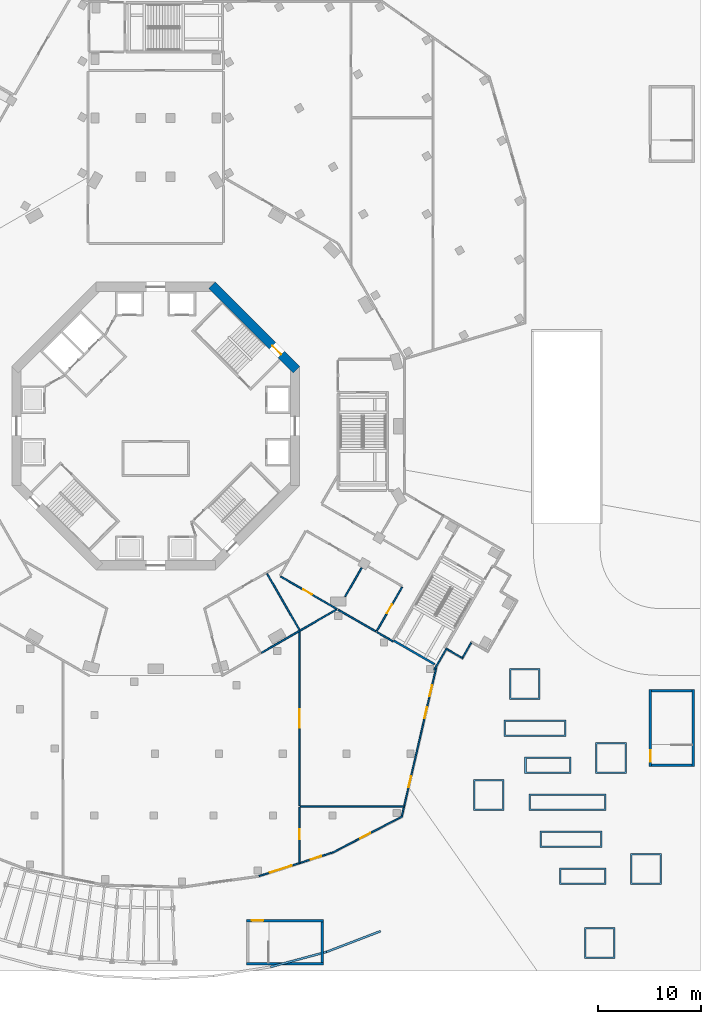
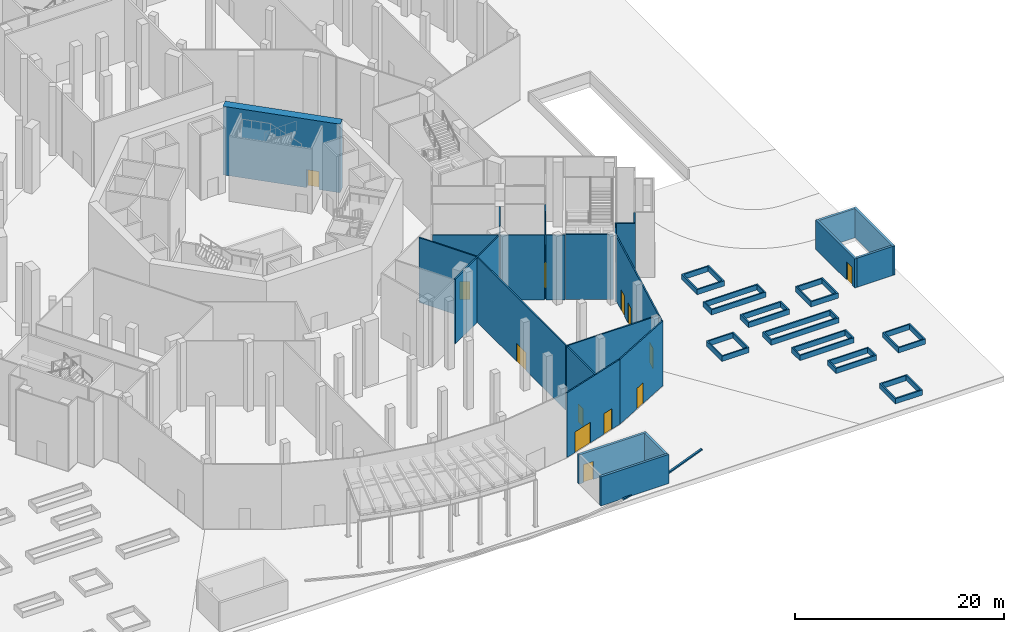
# One storey, part 8 of 30: 37 walls, 13 doors, 13 openings.
"""IFC4 building model written with IfcOpenShell, lengths in metres."""

from ifc_helpers import new_model, si_unit, direction, frame, frame_2d, origin, place, context, subcontext, project, spatial, polyline, rectangle, outline, extrude, material, layer, layer_set, type_object, element, fill, save


model = new_model("IFC4")

# Units and contexts
model_context = context("Model", 3, precision=1e-05, world=origin(), true_north=direction((0.0, 1.0)))
body_context = subcontext(model_context, "Body", "Model", "MODEL_VIEW")
ifc_project = project(units=[si_unit("LENGTHUNIT", "METRE"), si_unit("AREAUNIT", "SQUARE_METRE"), si_unit("VOLUMEUNIT", "CUBIC_METRE"), si_unit("PLANEANGLEUNIT", "RADIAN"), si_unit("MASSUNIT", "GRAM", prefix="KILO")], contexts=[model_context])

# Site, building, storey
site_placement = place(None, origin())
site = spatial("IfcSite", under=ifc_project, at=site_placement, CompositionType="ELEMENT")
building_placement = place(site_placement, origin())
building = spatial("IfcBuilding", under=site, at=building_placement, Name="Verdalira Terraces Hotel", CompositionType="ELEMENT")
storey_placement = place(building_placement, origin())
storey = spatial("IfcBuildingStorey", under=building, at=storey_placement, Name="L00", CompositionType="ELEMENT", Elevation=0.0)

# Wall, opening, door
ifc_material_1 = material(Name="Concrete C70", Category="concrete")
ifc_layer_1 = layer(ifc_material_1, 0.89990234375)
ifc_layer_set_1 = layer_set([ifc_layer_1], Name="Core wall 900 C70")
wall_type_1 = type_object("IfcWallType", Name="Core wall 900 C70", PredefinedType="SHEAR", material=ifc_layer_set_1)
wall_1_placement = place(storey_placement, frame((13.681885, 5.480713, 0.0), z_axis=(0.0, 0.0, 1.0), x_axis=(-0.707106781, 0.707106781, 0.0)))
wall_1 = element("IfcWall", 1, at=wall_1_placement, inside=storey, type_object=wall_type_1, Name="Core wall CW-L00-2", PredefinedType="SHEAR", context=body_context, shape_type="SweptSolid", body=[
    extrude(rectangle(XDim=11.598145, YDim=0.899902, at=frame_2d((5.799072, 0.0))), origin(), (0.0, 0.0, 1.0), 8.0),
])
opening_1_placement = place(wall_1_placement, frame((2.099121, 0.0, 0.0)))
opening_1 = element("IfcOpeningElement", 2, at=opening_1_placement, cuts=wall_1, Name="Opening L00-818", PredefinedType="OPENING", context=body_context, shape_type="SweptSolid", body=[
    extrude(rectangle(XDim=1.199951, YDim=2.100098, at=frame_2d((0.600098, 1.050049))), frame((0.0, 0.459961, 0.0), z_axis=(0.0, -1.0, 0.0), x_axis=(1.0, 0.0, 0.0)), (0.0, 0.0, 1.0), 0.919922),
])
ifc_material_2 = material(Name="Steel fire door", Category="steel")
door_type_1 = type_object("IfcDoorType", Name="Stair door 1200 x 2100", OperationType="NOTDEFINED", PredefinedType="DOOR", material=ifc_material_2)
door_1_placement = place(opening_1_placement, origin())
door_1 = element("IfcDoor", 3, at=door_1_placement, inside=storey, type_object=door_type_1, Name="Stair exit door ST1 L00", OperationType="SINGLE_SWING_LEFT", OverallHeight=2.10009765625, OverallWidth=1.199951171875, PredefinedType="DOOR", context=body_context, shape_type="SweptSolid", body=[
    extrude(rectangle(XDim=1.199951, YDim=2.100098, at=frame_2d((0.600098, 1.050049))), frame((0.0, 0.024902, 0.0), z_axis=(0.0, -1.0, 0.0), x_axis=(1.0, 0.0, 0.0)), (0.0, 0.0, 1.0), 0.050049),
])
fill(opening_1, door_1)

ifc_material_3 = material(Name="Gypsum board partition on steel stud", Category="steel")
ifc_layer_2 = layer(ifc_material_3, 0.14990234375)
ifc_layer_set_2 = layer_set([ifc_layer_2], Name="Fire-rated partition 150 mm")
wall_type_2 = type_object("IfcWallType", Name="Fire-rated partition 150 mm", PredefinedType="PARTITIONING", material=ifc_layer_set_2)
wall_2_placement = place(storey_placement, frame((17.643311, -17.807373, 0.0), z_axis=(0.0, 0.0, 1.0), x_axis=(-0.866029357, 0.499993152, 0.0)))
wall_2 = element("IfcWall", 4, at=wall_2_placement, inside=storey, type_object=wall_type_2, Name="Partition", PredefinedType="PARTITIONING", context=body_context, shape_type="SweptSolid", body=[
    extrude(rectangle(XDim=6.349609, YDim=0.149902, at=frame_2d((3.174805, 0.0))), origin(), (0.0, 0.0, 1.0), 7.550049),
])
opening_2_placement = place(wall_2_placement, frame((2.799805, 0.0, 0.0)))
opening_2 = element("IfcOpeningElement", 5, at=opening_2_placement, cuts=wall_2, Name="Opening L00-D22", PredefinedType="OPENING", context=body_context, shape_type="SweptSolid", body=[
    extrude(rectangle(XDim=1.0, YDim=2.100098, at=frame_2d((0.5, 1.050049))), frame((0.0, 0.084961, 0.0), z_axis=(0.0, -1.0, 0.0), x_axis=(1.0, 0.0, 0.0)), (0.0, 0.0, 1.0), 0.169922),
])
ifc_material_4 = material(Name="Steel fire door", Category="steel")
door_type_2 = type_object("IfcDoorType", Name="Fire door 1000 x 2100", OperationType="SINGLE_SWING_LEFT", PredefinedType="DOOR", material=ifc_material_4)
door_2_placement = place(opening_2_placement, origin())
door_2 = element("IfcDoor", 6, at=door_2_placement, inside=storey, type_object=door_type_2, Name="Accessible WC door", OperationType="SINGLE_SWING_RIGHT", OverallHeight=2.10009765625, OverallWidth=1.0, PredefinedType="DOOR", context=body_context, shape_type="SweptSolid", body=[
    extrude(rectangle(XDim=1.0, YDim=2.100098, at=frame_2d((0.5, 1.050049))), frame((0.0, 0.024902, 0.0), z_axis=(0.0, -1.0, 0.0), x_axis=(1.0, 0.0, 0.0)), (0.0, 0.0, 1.0), 0.050049),
])
fill(opening_2, door_2)

wall_3_placement = place(storey_placement, frame((14.0, -37.074707, 0.0), z_axis=(0.0, 0.0, 1.0), x_axis=(0.0, -1.0, 0.0)))
wall_3 = element("IfcWall", 7, at=wall_3_placement, inside=storey, type_object=wall_type_2, Name="Partition", PredefinedType="PARTITIONING", context=body_context, shape_type="SweptSolid", body=[
    extrude(rectangle(XDim=5.439941, YDim=0.149902, at=frame_2d((2.719971, 0.0))), origin(), (0.0, 0.0, 1.0), 7.550049),
])
opening_3_placement = place(wall_3_placement, frame((2.149902, 0.0, 0.0)))
opening_3 = element("IfcOpeningElement", 8, at=opening_3_placement, cuts=wall_3, Name="Opening L00-D23", PredefinedType="OPENING", context=body_context, shape_type="SweptSolid", body=[
    extrude(rectangle(XDim=1.0, YDim=2.100098, at=frame_2d((0.5, 1.050049))), frame((0.0, 0.084961, 0.0), z_axis=(0.0, -1.0, 0.0), x_axis=(1.0, 0.0, 0.0)), (0.0, 0.0, 1.0), 0.169922),
])
door_3_placement = place(opening_3_placement, origin())
door_3 = element("IfcDoor", 9, at=door_3_placement, inside=storey, type_object=door_type_2, Name="Bell desk and luggage store door", OperationType="SINGLE_SWING_LEFT", OverallHeight=2.10009765625, OverallWidth=1.0, PredefinedType="DOOR", context=body_context, shape_type="SweptSolid", body=[
    extrude(rectangle(XDim=1.0, YDim=2.100098, at=frame_2d((0.5, 1.050049))), frame((0.0, 0.024902, 0.0), z_axis=(0.0, -1.0, 0.0), x_axis=(1.0, 0.0, 0.0)), (0.0, 0.0, 1.0), 0.050049),
])
fill(opening_3, door_3)

wall_4_placement = place(storey_placement, frame((14.0, -36.925293, 0.0), z_axis=(0.0, 0.0, 1.0), x_axis=(0.0, 1.0, 0.0)))
wall_4 = element("IfcWall", 10, at=wall_4_placement, inside=storey, type_object=wall_type_2, Name="Partition", PredefinedType="PARTITIONING", context=body_context, shape_type="SweptSolid", body=[
    extrude(rectangle(XDim=16.922119, YDim=0.149902, at=frame_2d((8.460938, 0.0))), origin(), (0.0, 0.0, 1.0), 7.550049),
])
opening_4_placement = place(wall_4_placement, frame((7.572021, 0.0, 0.0)))
opening_4 = element("IfcOpeningElement", 11, at=opening_4_placement, cuts=wall_4, Name="Opening L00-D24", PredefinedType="OPENING", context=body_context, shape_type="SweptSolid", body=[
    extrude(rectangle(XDim=1.800049, YDim=2.100098, at=frame_2d((0.899902, 1.050049))), frame((0.0, 0.084961, 0.0), z_axis=(0.0, -1.0, 0.0), x_axis=(1.0, 0.0, 0.0)), (0.0, 0.0, 1.0), 0.169922),
])
ifc_material_5 = material(Name="Steel fire door", Category="steel")
door_type_3 = type_object("IfcDoorType", Name="Fire door pair 1800 x 2100", OperationType="DOUBLE_DOOR_SINGLE_SWING", PredefinedType="DOOR", material=ifc_material_5)
door_4_placement = place(opening_4_placement, origin())
door_4 = element("IfcDoor", 12, at=door_4_placement, inside=storey, type_object=door_type_3, Name="Grand lobby door", OperationType="DOUBLE_DOOR_SINGLE_SWING", OverallHeight=2.10009765625, OverallWidth=1.800048828125, PredefinedType="DOOR", context=body_context, shape_type="SweptSolid", body=[
    extrude(rectangle(XDim=1.800049, YDim=2.100098, at=frame_2d((0.899902, 1.050049))), frame((0.0, 0.024902, 0.0), z_axis=(0.0, -1.0, 0.0), x_axis=(1.0, 0.0, 0.0)), (0.0, 0.0, 1.0), 0.050049),
])
fill(opening_4, door_4)

# Walls
wall_5_placement = place(storey_placement, frame((13.996826, -19.843262, 0.0), z_axis=(0.0, 0.0, 1.0), x_axis=(-0.499976504, 0.866038969, 0.0)))
element("IfcWall", 13, at=wall_5_placement, inside=storey, type_object=wall_type_2, Name="Partition", PredefinedType="PARTITIONING", context=body_context, shape_type="SweptSolid", body=[
    extrude(rectangle(XDim=6.349854, YDim=0.149902, at=frame_2d((3.174805, 0.0))), origin(), (0.0, 0.0, 1.0), 7.550049),
])
wall_6_placement = place(storey_placement, frame((17.593262, -17.853516, 0.0), z_axis=(0.0, 0.0, 1.0), x_axis=(-0.866022179, -0.500005586, 0.0)))
element("IfcWall", 14, at=wall_6_placement, inside=storey, type_object=wall_type_2, Name="Partition", PredefinedType="PARTITIONING", context=body_context, shape_type="SweptSolid", body=[
    extrude(rectangle(XDim=8.43457, YDim=0.149902, at=frame_2d((4.217285, 0.0))), origin(), (0.0, 0.0, 1.0), 7.550049),
])
wall_7_placement = place(storey_placement, frame((18.435547, -16.585449, 0.0), z_axis=(0.0, 0.0, 1.0), x_axis=(0.49995248, 0.866052838, 0.0)))
element("IfcWall", 15, at=wall_7_placement, inside=storey, type_object=wall_type_2, Name="Partition", PredefinedType="PARTITIONING", context=body_context, shape_type="SweptSolid", body=[
    extrude(rectangle(XDim=3.215576, YDim=0.149902, at=frame_2d((1.60791, 0.0))), origin(), (0.0, 0.0, 1.0), 7.550049),
])
wall_8_placement = place(storey_placement, frame((17.773193, -17.882324, 0.0), z_axis=(0.0, 0.0, 1.0), x_axis=(0.866005191, -0.500035008, 0.0)))
element("IfcWall", 16, at=wall_8_placement, inside=storey, type_object=wall_type_2, Name="Partition", PredefinedType="PARTITIONING", context=body_context, shape_type="SweptSolid", body=[
    extrude(rectangle(XDim=4.192139, YDim=0.149902, at=frame_2d((2.096191, 0.0))), origin(), (0.0, 0.0, 1.0), 7.550049),
])
wall_9_placement = place(storey_placement, frame((21.533203, -20.053223, 0.0), z_axis=(0.0, 0.0, 1.0), x_axis=(0.865989076, -0.500062917, 0.0)))
element("IfcWall", 17, at=wall_9_placement, inside=storey, type_object=wall_type_2, Name="Partition", PredefinedType="PARTITIONING", context=body_context, shape_type="SweptSolid", body=[
    extrude(rectangle(XDim=1.800049, YDim=0.149902, at=frame_2d((0.899902, 0.0))), origin(), (0.0, 0.0, 1.0), 7.550049),
])

# Wall, opening, door
wall_10_placement = place(storey_placement, frame((21.505859, -19.950684, 0.0), z_axis=(0.0, 0.0, 1.0), x_axis=(0.499995708, 0.866027882, 0.0)))
wall_10 = element("IfcWall", 18, at=wall_10_placement, inside=storey, type_object=wall_type_2, Name="Partition", PredefinedType="PARTITIONING", context=body_context, shape_type="SweptSolid", body=[
    extrude(rectangle(XDim=4.949707, YDim=0.149902, at=frame_2d((2.474854, 0.0))), origin(), (0.0, 0.0, 1.0), 7.550049),
])
opening_5_placement = place(wall_10_placement, frame((2.0, 0.0, 0.0)))
opening_5 = element("IfcOpeningElement", 19, at=opening_5_placement, cuts=wall_10, Name="Opening L00-D31", PredefinedType="OPENING", context=body_context, shape_type="SweptSolid", body=[
    extrude(rectangle(XDim=1.0, YDim=2.100098, at=frame_2d((0.5, 1.050049))), frame((0.0, 0.084961, 0.0), z_axis=(0.0, -1.0, 0.0), x_axis=(1.0, 0.0, 0.0)), (0.0, 0.0, 1.0), 0.169922),
])
door_5_placement = place(opening_5_placement, origin())
door_5 = element("IfcDoor", 20, at=door_5_placement, inside=storey, type_object=door_type_2, Name="Retail store 4 door", OperationType="SINGLE_SWING_LEFT", OverallHeight=2.10009765625, OverallWidth=1.0, PredefinedType="DOOR", context=body_context, shape_type="SweptSolid", body=[
    extrude(rectangle(XDim=1.0, YDim=2.100098, at=frame_2d((0.5, 1.050049))), frame((0.0, 0.024902, 0.0), z_axis=(0.0, -1.0, 0.0), x_axis=(1.0, 0.0, 0.0)), (0.0, 0.0, 1.0), 0.050049),
])
fill(opening_5, door_5)

# Walls
wall_11_placement = place(storey_placement, frame((24.170654, -37.0, 0.0), z_axis=(0.0, 0.0, 1.0), x_axis=(-1.0, 0.0, 0.0)))
element("IfcWall", 21, at=wall_11_placement, inside=storey, type_object=wall_type_2, Name="Partition", PredefinedType="PARTITIONING", context=body_context, shape_type="SweptSolid", body=[
    extrude(rectangle(XDim=10.095703, YDim=0.149902, at=frame_2d((5.047852, 0.0))), origin(), (0.0, 0.0, 1.0), 7.550049),
])
ifc_material_6 = material(Name="Concrete C40", Category="concrete")
ifc_layer_3 = layer(ifc_material_6, 0.14990234375)
ifc_layer_set_3 = layer_set([ifc_layer_3], Name="Garden planter trough 600")
wall_type_3 = type_object("IfcWallType", Name="Garden planter trough 600", PredefinedType="SOLIDWALL", material=ifc_layer_set_3)
wall_12_placement = place(storey_placement, origin())
element("IfcWall", 22, at=wall_12_placement, inside=storey, type_object=wall_type_3, Name="Garden planter", PredefinedType="SOLIDWALL", context=body_context, shape_type="SweptSolid", body=[
    extrude(outline(polyline([(41.708252, -51.800049), (44.708252, -51.800049), (44.708252, -48.800049), (41.708252, -48.800049), (41.708252, -51.800049)]), holes=[polyline([(41.858398, -51.649902), (41.858398, -48.949951), (44.55835, -48.949951), (44.55835, -51.649902), (41.858398, -51.649902)])]), origin(), (0.0, 0.0, 1.0), 0.600098),
])
wall_13_placement = place(storey_placement, origin())
element("IfcWall", 23, at=wall_13_placement, inside=storey, type_object=wall_type_3, Name="Garden planter", PredefinedType="SOLIDWALL", context=body_context, shape_type="SweptSolid", body=[
    extrude(outline(polyline([(39.30835, -44.600098), (43.80835, -44.600098), (43.80835, -43.0), (39.30835, -43.0), (39.30835, -44.600098)]), holes=[polyline([(39.458252, -44.449951), (39.458252, -43.149902), (43.658203, -43.149902), (43.658203, -44.449951), (39.458252, -44.449951)])]), origin(), (0.0, 0.0, 1.0), 0.600098),
])
wall_14_placement = place(storey_placement, origin())
element("IfcWall", 24, at=wall_14_placement, inside=storey, type_object=wall_type_3, Name="Garden planter", PredefinedType="SOLIDWALL", context=body_context, shape_type="SweptSolid", body=[
    extrude(outline(polyline([(46.208252, -44.600098), (49.208252, -44.600098), (49.208252, -41.600098), (46.208252, -41.600098), (46.208252, -44.600098)]), holes=[polyline([(46.358398, -44.449951), (46.358398, -41.75), (49.05835, -41.75), (49.05835, -44.449951), (46.358398, -44.449951)])]), origin(), (0.0, 0.0, 1.0), 0.600098),
])
wall_15_placement = place(storey_placement, origin())
element("IfcWall", 25, at=wall_15_placement, inside=storey, type_object=wall_type_3, Name="Garden planter", PredefinedType="SOLIDWALL", context=body_context, shape_type="SweptSolid", body=[
    extrude(outline(polyline([(37.408203, -41.0), (43.408203, -41.0), (43.408203, -39.399902), (37.408203, -39.399902), (37.408203, -41.0)]), holes=[polyline([(37.55835, -40.850098), (37.55835, -39.550049), (43.258301, -39.550049), (43.258301, -40.850098), (37.55835, -40.850098)])]), origin(), (0.0, 0.0, 1.0), 0.600098),
])
wall_16_placement = place(storey_placement, origin())
element("IfcWall", 26, at=wall_16_placement, inside=storey, type_object=wall_type_3, Name="Garden planter", PredefinedType="SOLIDWALL", context=body_context, shape_type="SweptSolid", body=[
    extrude(outline(polyline([(30.908203, -37.399902), (33.908203, -37.399902), (33.908203, -34.399902), (30.908203, -34.399902), (30.908203, -37.399902)]), holes=[polyline([(31.05835, -37.25), (31.05835, -34.550049), (33.758301, -34.550049), (33.758301, -37.25), (31.05835, -37.25)])]), origin(), (0.0, 0.0, 1.0), 0.600098),
])
wall_17_placement = place(storey_placement, origin())
element("IfcWall", 27, at=wall_17_placement, inside=storey, type_object=wall_type_3, Name="Garden planter", PredefinedType="SOLIDWALL", context=body_context, shape_type="SweptSolid", body=[
    extrude(outline(polyline([(36.30835, -37.399902), (43.80835, -37.399902), (43.80835, -35.800049), (36.30835, -35.800049), (36.30835, -37.399902)]), holes=[polyline([(36.458252, -37.25), (36.458252, -35.949951), (43.658203, -35.949951), (43.658203, -37.25), (36.458252, -37.25)])]), origin(), (0.0, 0.0, 1.0), 0.600098),
])
wall_18_placement = place(storey_placement, origin())
element("IfcWall", 28, at=wall_18_placement, inside=storey, type_object=wall_type_3, Name="Garden planter", PredefinedType="SOLIDWALL", context=body_context, shape_type="SweptSolid", body=[
    extrude(outline(polyline([(35.908203, -33.800049), (40.408203, -33.800049), (40.408203, -32.199951), (35.908203, -32.199951), (35.908203, -33.800049)]), holes=[polyline([(36.05835, -33.649902), (36.05835, -32.350098), (40.258301, -32.350098), (40.258301, -33.649902), (36.05835, -33.649902)])]), origin(), (0.0, 0.0, 1.0), 0.600098),
])
wall_19_placement = place(storey_placement, origin())
element("IfcWall", 29, at=wall_19_placement, inside=storey, type_object=wall_type_3, Name="Garden planter", PredefinedType="SOLIDWALL", context=body_context, shape_type="SweptSolid", body=[
    extrude(outline(polyline([(42.80835, -33.800049), (45.80835, -33.800049), (45.80835, -30.800049), (42.80835, -30.800049), (42.80835, -33.800049)]), holes=[polyline([(42.958252, -33.649902), (42.958252, -30.949951), (45.658203, -30.949951), (45.658203, -33.649902), (42.958252, -33.649902)])]), origin(), (0.0, 0.0, 1.0), 0.600098),
])
wall_20_placement = place(storey_placement, origin())
element("IfcWall", 30, at=wall_20_placement, inside=storey, type_object=wall_type_3, Name="Garden planter", PredefinedType="SOLIDWALL", context=body_context, shape_type="SweptSolid", body=[
    extrude(outline(polyline([(33.908203, -30.199951), (39.908203, -30.199951), (39.908203, -28.600098), (33.908203, -28.600098), (33.908203, -30.199951)]), holes=[polyline([(34.05835, -30.050049), (34.05835, -28.75), (39.758301, -28.75), (39.758301, -30.050049), (34.05835, -30.050049)])]), origin(), (0.0, 0.0, 1.0), 0.600098),
])
wall_21_placement = place(storey_placement, origin())
element("IfcWall", 31, at=wall_21_placement, inside=storey, type_object=wall_type_3, Name="Garden planter", PredefinedType="SOLIDWALL", context=body_context, shape_type="SweptSolid", body=[
    extrude(outline(polyline([(34.408203, -26.600098), (37.408203, -26.600098), (37.408203, -23.600098), (34.408203, -23.600098), (34.408203, -26.600098)]), holes=[polyline([(34.55835, -26.449951), (34.55835, -23.75), (37.258301, -23.75), (37.258301, -26.449951), (34.55835, -26.449951)])]), origin(), (0.0, 0.0, 1.0), 0.600098),
])
ifc_material_7 = material(Name="Concrete C40", Category="concrete")
ifc_layer_4 = layer(ifc_material_7, 0.199951171875)
ifc_layer_set_4 = layer_set([ifc_layer_4], Name="Kerb 200 x 150")
wall_type_4 = type_object("IfcWallType", Name="Kerb 200 x 150", PredefinedType="SOLIDWALL", material=ifc_layer_set_4)
for number, where, z_axis, x_axis, name in (
    (32, (11.185547, -52.624268, 0.0), (0.0, 0.0, 1.0), (0.965924829, 0.258822766, 0.0), "Drop-off kerb"),
    (33, (16.625, -51.166748, 0.0), (0.0, 0.0, 1.0), (0.933582285, 0.358363108, 0.0), "Drop-off kerb"),
):
    element("IfcWall", number, at=place(storey_placement, frame(where, z_axis=z_axis, x_axis=x_axis)), inside=storey, type_object=wall_type_4, Name=name, PredefinedType="SOLIDWALL", context=body_context, shape_type="SweptSolid", body=[
        extrude(rectangle(XDim=5.631348, YDim=0.199951, at=frame_2d((2.815674, 0.0))), origin(), (0.0, 0.0, 1.0), 0.149902),
    ])
ifc_material_8 = material(Name="Concrete C50", Category="concrete")
ifc_layer_5 = layer(ifc_material_8, 0.199951171875)
ifc_layer_set_5 = layer_set([ifc_layer_5], Name="Stair enclosure wall 200 mm")
wall_type_5 = type_object("IfcWallType", Name="Stair enclosure wall 200 mm", PredefinedType="SOLIDWALL", material=ifc_layer_set_5)
wall_22_placement = place(storey_placement, frame((23.163818, -20.87915, 0.0), z_axis=(0.0, 0.0, 1.0), x_axis=(0.866030039, -0.499991972, 0.0)))
element("IfcWall", 34, at=wall_22_placement, inside=storey, type_object=wall_type_5, Name="Stair enclosure wall", PredefinedType="SOLIDWALL", context=body_context, shape_type="SweptSolid", body=[
    extrude(rectangle(XDim=4.600098, YDim=0.199951, at=frame_2d((2.300049, 0.0))), origin(), (0.0, 0.0, 1.0), 7.550049),
])

# Wall, opening, door
ifc_material_9 = material(Name="Concrete C40", Category="concrete")
ifc_layer_6 = layer(ifc_material_9, 0.25)
ifc_layer_set_6 = layer_set([ifc_layer_6], Name="Stair head house wall 250 C40")
wall_type_6 = type_object("IfcWallType", Name="Stair head house wall 250 C40", PredefinedType="SOLIDWALL", material=ifc_layer_set_6)
wall_23_placement = place(storey_placement, frame((48.125, -33.149902, 0.0), z_axis=(0.0, 0.0, 1.0), x_axis=(0.0, 1.0, 0.0)))
wall_23 = element("IfcWall", 35, at=wall_23_placement, inside=storey, type_object=wall_type_6, Name="Stair BS2 enclosure wall", PredefinedType="SOLIDWALL", context=body_context, shape_type="SweptSolid", body=[
    extrude(rectangle(XDim=7.5, YDim=0.25, at=frame_2d((3.75, 0.0))), origin(), (0.0, 0.0, 1.0), 3.399902),
])
opening_6_placement = place(wall_23_placement, frame((0.5, 0.0, 0.0)))
opening_6 = element("IfcOpeningElement", 36, at=opening_6_placement, cuts=wall_23, Name="Opening L00-D602", PredefinedType="OPENING", context=body_context, shape_type="SweptSolid", body=[
    extrude(rectangle(XDim=1.100098, YDim=2.100098, at=frame_2d((0.550049, 1.050049))), frame((0.0, 0.13501, 0.0), z_axis=(0.0, -1.0, 0.0), x_axis=(1.0, 0.0, 0.0)), (0.0, 0.0, 1.0), 0.27002),
])
ifc_material_10 = material(Name="Steel fire door", Category="steel")
door_type_4 = type_object("IfcDoorType", Name="Stair exit door 1100 x 2100", OperationType="SINGLE_SWING_RIGHT", PredefinedType="DOOR", material=ifc_material_10)
door_6_placement = place(opening_6_placement, origin())
door_6 = element("IfcDoor", 37, at=door_6_placement, inside=storey, type_object=door_type_4, Name="Stair BS2 exit door", OperationType="SINGLE_SWING_RIGHT", OverallHeight=2.10009765625, OverallWidth=1.10009765625, PredefinedType="DOOR", context=body_context, shape_type="SweptSolid", body=[
    extrude(rectangle(XDim=1.100098, YDim=2.100098, at=frame_2d((0.550049, 1.050049))), frame((0.0, 0.024902, 0.0), z_axis=(0.0, -1.0, 0.0), x_axis=(1.0, 0.0, 0.0)), (0.0, 0.0, 1.0), 0.050049),
])
fill(opening_6, door_6)

# Walls
wall_24_placement = place(storey_placement, frame((52.324951, -33.149902, 0.0), z_axis=(0.0, 0.0, 1.0), x_axis=(0.0, 1.0, 0.0)))
element("IfcWall", 38, at=wall_24_placement, inside=storey, type_object=wall_type_6, Name="Stair BS2 enclosure wall", PredefinedType="SOLIDWALL", context=body_context, shape_type="SweptSolid", body=[
    extrude(rectangle(XDim=7.5, YDim=0.25, at=frame_2d((3.75, 0.0))), origin(), (0.0, 0.0, 1.0), 3.399902),
])
for number, where, z_axis, x_axis, name in (
    (39, (52.199951, -33.024902, 0.0), (0.0, 0.0, 1.0), (-1.0, 0.0, 0.0), "Stair BS2 enclosure wall"),
    (40, (52.199951, -25.774902, 0.0), (0.0, 0.0, 1.0), (-1.0, 0.0, 0.0), "Stair BS2 enclosure wall"),
):
    element("IfcWall", number, at=place(storey_placement, frame(where, z_axis=z_axis, x_axis=x_axis)), inside=storey, type_object=wall_type_6, Name=name, PredefinedType="SOLIDWALL", context=body_context, shape_type="SweptSolid", body=[
        extrude(rectangle(XDim=3.949951, YDim=0.25, at=frame_2d((1.975098, 0.0))), origin(), (0.0, 0.0, 1.0), 3.399902),
    ])

# Wall, opening, door
wall_25_placement = place(storey_placement, frame((8.850098, -48.125, 0.0), z_axis=(0.0, 0.0, 1.0), x_axis=(1.0, 0.0, 0.0)))
wall_25 = element("IfcWall", 41, at=wall_25_placement, inside=storey, type_object=wall_type_6, Name="Stair BS6 enclosure wall", PredefinedType="SOLIDWALL", context=body_context, shape_type="SweptSolid", body=[
    extrude(rectangle(XDim=7.5, YDim=0.25, at=frame_2d((3.75, 0.0))), origin(), (0.0, 0.0, 1.0), 3.399902),
])
opening_7_placement = place(wall_25_placement, frame((0.5, 0.0, 0.0)))
opening_7 = element("IfcOpeningElement", 42, at=opening_7_placement, cuts=wall_25, Name="Opening L00-D606", PredefinedType="OPENING", context=body_context, shape_type="SweptSolid", body=[
    extrude(rectangle(XDim=1.100098, YDim=2.100098, at=frame_2d((0.550049, 1.050049))), frame((0.0, 0.13501, 0.0), z_axis=(0.0, -1.0, 0.0), x_axis=(1.0, 0.0, 0.0)), (0.0, 0.0, 1.0), 0.27002),
])
door_7_placement = place(opening_7_placement, origin())
door_7 = element("IfcDoor", 43, at=door_7_placement, inside=storey, type_object=door_type_4, Name="Stair BS6 exit door", OperationType="SINGLE_SWING_RIGHT", OverallHeight=2.10009765625, OverallWidth=1.10009765625, PredefinedType="DOOR", context=body_context, shape_type="SweptSolid", body=[
    extrude(rectangle(XDim=1.100098, YDim=2.100098, at=frame_2d((0.550049, 1.050049))), frame((0.0, 0.024902, 0.0), z_axis=(0.0, -1.0, 0.0), x_axis=(1.0, 0.0, 0.0)), (0.0, 0.0, 1.0), 0.050049),
])
fill(opening_7, door_7)

# Walls
wall_26_placement = place(storey_placement, frame((8.850098, -52.324951, 0.0), z_axis=(0.0, 0.0, 1.0), x_axis=(1.0, 0.0, 0.0)))
element("IfcWall", 44, at=wall_26_placement, inside=storey, type_object=wall_type_6, Name="Stair BS6 enclosure wall", PredefinedType="SOLIDWALL", context=body_context, shape_type="SweptSolid", body=[
    extrude(rectangle(XDim=7.5, YDim=0.25, at=frame_2d((3.75, 0.0))), origin(), (0.0, 0.0, 1.0), 3.399902),
])
wall_27_placement = place(storey_placement, frame((16.225098, -52.199951, 0.0), z_axis=(0.0, 0.0, 1.0), x_axis=(0.0, 1.0, 0.0)))
element("IfcWall", 45, at=wall_27_placement, inside=storey, type_object=wall_type_6, Name="Stair BS6 enclosure wall", PredefinedType="SOLIDWALL", context=body_context, shape_type="SweptSolid", body=[
    extrude(rectangle(XDim=3.949951, YDim=0.25, at=frame_2d((1.975098, 0.0))), origin(), (0.0, 0.0, 1.0), 3.399902),
])
ifc_material_11 = material(Name="Concrete C40", Category="concrete")
ifc_layer_7 = layer(ifc_material_11, 0.139892578125)
ifc_layer_set_7 = layer_set([ifc_layer_7], Name="Terracotta clad concrete wall C40 140 mm")
wall_type_7 = type_object("IfcWallType", Name="Terracotta clad concrete wall C40 140 mm", PredefinedType="SOLIDWALL", material=ifc_layer_set_7)
wall_28_placement = place(storey_placement, frame((27.100586, -23.720459, 0.0), z_axis=(0.0, 0.0, 1.0), x_axis=(0.499965247, 0.866045467, 0.0)))
element("IfcWall", 46, at=wall_28_placement, inside=storey, type_object=wall_type_7, Name="Podium facade wall", PredefinedType="SOLIDWALL", context=body_context, shape_type="SweptSolid", body=[
    extrude(rectangle(XDim=2.292236, YDim=0.139893, at=frame_2d((1.145996, 0.0))), origin(), (0.0, 0.0, 1.0), 7.550049),
])
wall_29_placement = place(storey_placement, frame((28.221191, -21.639648, 0.0), z_axis=(0.0, 0.0, 1.0), x_axis=(0.866011627, -0.500023862, 0.0)))
element("IfcWall", 47, at=wall_29_placement, inside=storey, type_object=wall_type_7, Name="Podium facade wall", PredefinedType="SOLIDWALL", context=body_context, shape_type="SweptSolid", body=[
    extrude(rectangle(XDim=1.939941, YDim=0.139893, at=frame_2d((0.969971, 0.0))), origin(), (0.0, 0.0, 1.0), 7.550049),
])

# Wall, openings, doors
ifc_material_12 = material(Name="Terracotta cladding on steel stud backup", Category="masonry")
ifc_layer_8 = layer(ifc_material_12, 0.139892578125)
ifc_layer_set_8 = layer_set([ifc_layer_8], Name="Terracotta clad wall 140 mm")
wall_type_8 = type_object("IfcWallType", Name="Terracotta clad wall 140 mm", PredefinedType="SOLIDWALL", material=ifc_layer_set_8)
wall_30_placement = place(storey_placement, frame((17.260742, -41.482422, 0.0), z_axis=(0.0, 0.0, 1.0), x_axis=(-0.952331204, -0.305066021, 0.0)))
wall_30 = element("IfcWall", 48, at=wall_30_placement, inside=storey, type_object=wall_type_8, Name="Podium facade wall", PredefinedType="SOLIDWALL", context=body_context, shape_type="SweptSolid", body=[
    extrude(rectangle(XDim=7.567627, YDim=0.139893, at=frame_2d((3.783691, 0.0))), origin(), (0.0, 0.0, 1.0), 7.550049),
])
opening_8_placement = place(wall_30_placement, frame((4.248291, 0.0, 0.0)))
opening_8 = element("IfcOpeningElement", 49, at=opening_8_placement, cuts=wall_30, Name="Opening L00-E01", PredefinedType="OPENING", context=body_context, shape_type="SweptSolid", body=[
    extrude(rectangle(XDim=2.199951, YDim=2.399902, at=frame_2d((1.100098, 1.199951))), frame((0.0, 0.079834, 0.0), z_axis=(0.0, -1.0, 0.0), x_axis=(1.0, 0.0, 0.0)), (0.0, 0.0, 1.0), 0.159912),
])
opening_9_placement = place(wall_30_placement, frame((1.191162, 0.0, 0.0)))
opening_9 = element("IfcOpeningElement", 50, at=opening_9_placement, cuts=wall_30, Name="Opening L00-E02", PredefinedType="OPENING", context=body_context, shape_type="SweptSolid", body=[
    extrude(rectangle(XDim=1.100098, YDim=2.399902, at=frame_2d((0.550049, 1.199951))), frame((0.0, 0.079834, 0.0), z_axis=(0.0, -1.0, 0.0), x_axis=(1.0, 0.0, 0.0)), (0.0, 0.0, 1.0), 0.159912),
])
ifc_material_13 = material(Name="Glazed steel door", Category="steel")
door_type_5 = type_object("IfcDoorType", Name="Entrance door pair 2200 x 2400", OperationType="DOUBLE_DOOR_SINGLE_SWING", PredefinedType="DOOR", material=ifc_material_13)
door_8_placement = place(opening_8_placement, origin())
door_8 = element("IfcDoor", 51, at=door_8_placement, inside=storey, type_object=door_type_5, Name="Entrance door", OperationType="DOUBLE_DOOR_SINGLE_SWING", OverallHeight=2.39990234375, OverallWidth=2.199951171875, PredefinedType="DOOR", context=body_context, shape_type="SweptSolid", body=[
    extrude(rectangle(XDim=2.199951, YDim=2.399902, at=frame_2d((1.100098, 1.199951))), frame((0.0, 0.024902, 0.0), z_axis=(0.0, -1.0, 0.0), x_axis=(1.0, 0.0, 0.0)), (0.0, 0.0, 1.0), 0.050049),
])
fill(opening_8, door_8)
ifc_material_14 = material(Name="Glazed steel door", Category="steel")
door_type_6 = type_object("IfcDoorType", Name="Exit door 1100 x 2400", OperationType="SINGLE_SWING_RIGHT", PredefinedType="DOOR", material=ifc_material_14)
door_9_placement = place(opening_9_placement, origin())
door_9 = element("IfcDoor", 52, at=door_9_placement, inside=storey, type_object=door_type_6, Name="Exit door", OperationType="SINGLE_SWING_RIGHT", OverallHeight=2.39990234375, OverallWidth=1.10009765625, PredefinedType="DOOR", context=body_context, shape_type="SweptSolid", body=[
    extrude(rectangle(XDim=1.100098, YDim=2.399902, at=frame_2d((0.550049, 1.199951))), frame((0.0, 0.024902, 0.0), z_axis=(0.0, -1.0, 0.0), x_axis=(1.0, 0.0, 0.0)), (0.0, 0.0, 1.0), 0.050049),
])
fill(opening_9, door_9)

# Wall, opening, door
wall_31_placement = place(storey_placement, frame((24.020752, -37.976074, 0.0), z_axis=(0.0, 0.0, 1.0), x_axis=(-0.887749202, -0.460327442, 0.0)))
wall_31 = element("IfcWall", 53, at=wall_31_placement, inside=storey, type_object=wall_type_8, Name="Podium facade wall", PredefinedType="SOLIDWALL", context=body_context, shape_type="SweptSolid", body=[
    extrude(rectangle(XDim=7.627197, YDim=0.139893, at=frame_2d((3.813477, 0.0))), origin(), (0.0, 0.0, 1.0), 7.550049),
])
opening_10_placement = place(wall_31_placement, frame((3.544434, 0.0, 0.0)))
opening_10 = element("IfcOpeningElement", 54, at=opening_10_placement, cuts=wall_31, Name="Opening L00-E03", PredefinedType="OPENING", context=body_context, shape_type="SweptSolid", body=[
    extrude(rectangle(XDim=1.100098, YDim=2.399902, at=frame_2d((0.550049, 1.199951))), frame((0.0, 0.079834, 0.0), z_axis=(0.0, -1.0, 0.0), x_axis=(1.0, 0.0, 0.0)), (0.0, 0.0, 1.0), 0.159912),
])
door_10_placement = place(opening_10_placement, origin())
door_10 = element("IfcDoor", 55, at=door_10_placement, inside=storey, type_object=door_type_6, Name="Exit door", OperationType="SINGLE_SWING_LEFT", OverallHeight=2.39990234375, OverallWidth=1.10009765625, PredefinedType="DOOR", context=body_context, shape_type="SweptSolid", body=[
    extrude(rectangle(XDim=1.100098, YDim=2.399902, at=frame_2d((0.550049, 1.199951))), frame((0.0, 0.024902, 0.0), z_axis=(0.0, -1.0, 0.0), x_axis=(1.0, 0.0, 0.0)), (0.0, 0.0, 1.0), 0.050049),
])
fill(opening_10, door_10)

# Wall, openings, doors
wall_32_placement = place(storey_placement, frame((27.287598, -23.536621, 0.0), z_axis=(0.0, 0.0, 1.0), x_axis=(-0.22528195, -0.974293612, 0.0)))
wall_32 = element("IfcWall", 56, at=wall_32_placement, inside=storey, type_object=wall_type_8, Name="Podium facade wall", PredefinedType="SOLIDWALL", context=body_context, shape_type="SweptSolid", body=[
    extrude(rectangle(XDim=14.771973, YDim=0.139893, at=frame_2d((7.385986, 0.0))), origin(), (0.0, 0.0, 1.0), 7.550049),
])
opening_11_placement = place(wall_32_placement, frame((10.815186, 0.0, 0.0)))
opening_11 = element("IfcOpeningElement", 57, at=opening_11_placement, cuts=wall_32, Name="Opening L00-E04", PredefinedType="OPENING", context=body_context, shape_type="SweptSolid", body=[
    extrude(rectangle(XDim=1.100098, YDim=2.399902, at=frame_2d((0.550049, 1.199951))), frame((0.0, 0.079834, 0.0), z_axis=(0.0, -1.0, 0.0), x_axis=(1.0, 0.0, 0.0)), (0.0, 0.0, 1.0), 0.159912),
])
opening_12_placement = place(wall_32_placement, frame((3.910156, 0.0, 0.0)))
opening_12 = element("IfcOpeningElement", 58, at=opening_12_placement, cuts=wall_32, Name="Opening L00-E05", PredefinedType="OPENING", context=body_context, shape_type="SweptSolid", body=[
    extrude(rectangle(XDim=1.100098, YDim=2.399902, at=frame_2d((0.550049, 1.199951))), frame((0.0, 0.079834, 0.0), z_axis=(0.0, -1.0, 0.0), x_axis=(1.0, 0.0, 0.0)), (0.0, 0.0, 1.0), 0.159912),
])
opening_13_placement = place(wall_32_placement, frame((1.729736, 0.0, 0.0)))
opening_13 = element("IfcOpeningElement", 59, at=opening_13_placement, cuts=wall_32, Name="Opening L00-E06", PredefinedType="OPENING", context=body_context, shape_type="SweptSolid", body=[
    extrude(rectangle(XDim=1.100098, YDim=2.399902, at=frame_2d((0.550049, 1.199951))), frame((0.0, 0.079834, 0.0), z_axis=(0.0, -1.0, 0.0), x_axis=(1.0, 0.0, 0.0)), (0.0, 0.0, 1.0), 0.159912),
])
door_11_placement = place(opening_11_placement, origin())
door_11 = element("IfcDoor", 60, at=door_11_placement, inside=storey, type_object=door_type_6, Name="Exit door", OperationType="SINGLE_SWING_RIGHT", OverallHeight=2.39990234375, OverallWidth=1.10009765625, PredefinedType="DOOR", context=body_context, shape_type="SweptSolid", body=[
    extrude(rectangle(XDim=1.100098, YDim=2.399902, at=frame_2d((0.550049, 1.199951))), frame((0.0, 0.024902, 0.0), z_axis=(0.0, -1.0, 0.0), x_axis=(1.0, 0.0, 0.0)), (0.0, 0.0, 1.0), 0.050049),
])
fill(opening_11, door_11)
door_12_placement = place(opening_12_placement, origin())
door_12 = element("IfcDoor", 61, at=door_12_placement, inside=storey, type_object=door_type_6, Name="Exit door", OperationType="SINGLE_SWING_LEFT", OverallHeight=2.39990234375, OverallWidth=1.10009765625, PredefinedType="DOOR", context=body_context, shape_type="SweptSolid", body=[
    extrude(rectangle(XDim=1.100098, YDim=2.399902, at=frame_2d((0.550049, 1.199951))), frame((0.0, 0.024902, 0.0), z_axis=(0.0, -1.0, 0.0), x_axis=(1.0, 0.0, 0.0)), (0.0, 0.0, 1.0), 0.050049),
])
fill(opening_12, door_12)
door_13_placement = place(opening_13_placement, origin())
door_13 = element("IfcDoor", 62, at=door_13_placement, inside=storey, type_object=door_type_6, Name="Exit door", OperationType="SINGLE_SWING_RIGHT", OverallHeight=2.39990234375, OverallWidth=1.10009765625, PredefinedType="DOOR", context=body_context, shape_type="SweptSolid", body=[
    extrude(rectangle(XDim=1.100098, YDim=2.399902, at=frame_2d((0.550049, 1.199951))), frame((0.0, 0.024902, 0.0), z_axis=(0.0, -1.0, 0.0), x_axis=(1.0, 0.0, 0.0)), (0.0, 0.0, 1.0), 0.050049),
])
fill(opening_13, door_13)

# Wall
wall_33_placement = place(storey_placement, frame((29.875488, -22.51416, 0.0), z_axis=(0.0, 0.0, 1.0), x_axis=(0.499998264, 0.866026406, 0.0)))
element("IfcWall", 63, at=wall_33_placement, inside=storey, type_object=wall_type_8, Name="Podium facade wall", PredefinedType="SOLIDWALL", context=body_context, shape_type="SweptSolid", body=[
    extrude(rectangle(XDim=1.660156, YDim=0.139893, at=frame_2d((0.830078, 0.0))), origin(), (0.0, 0.0, 1.0), 7.550049),
])

save(model, "model.ifc")
